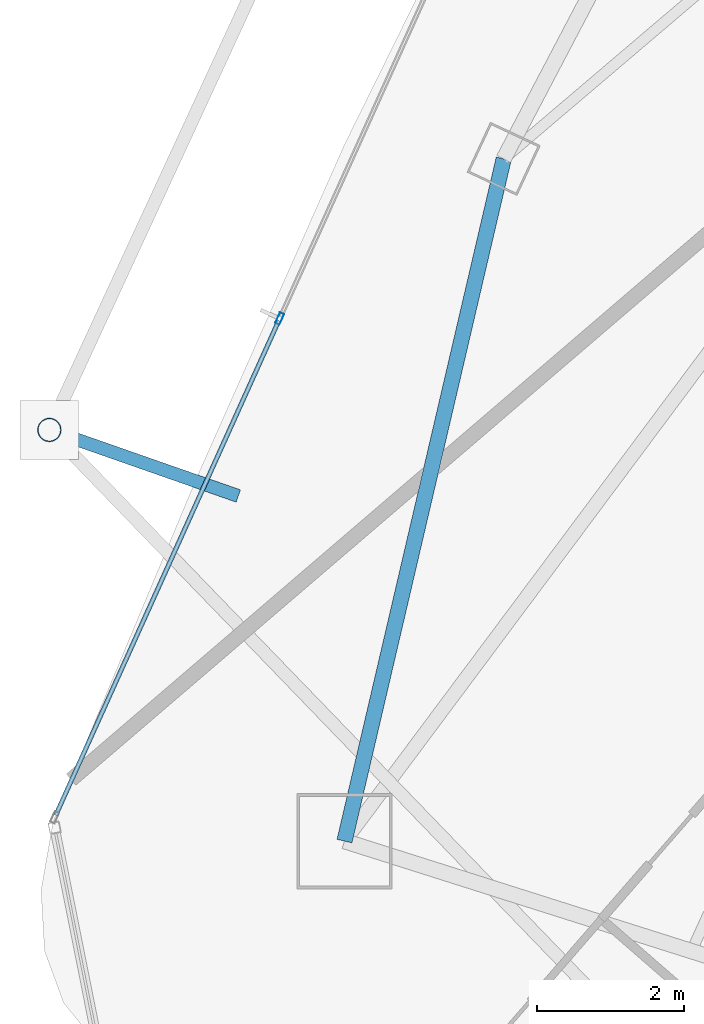
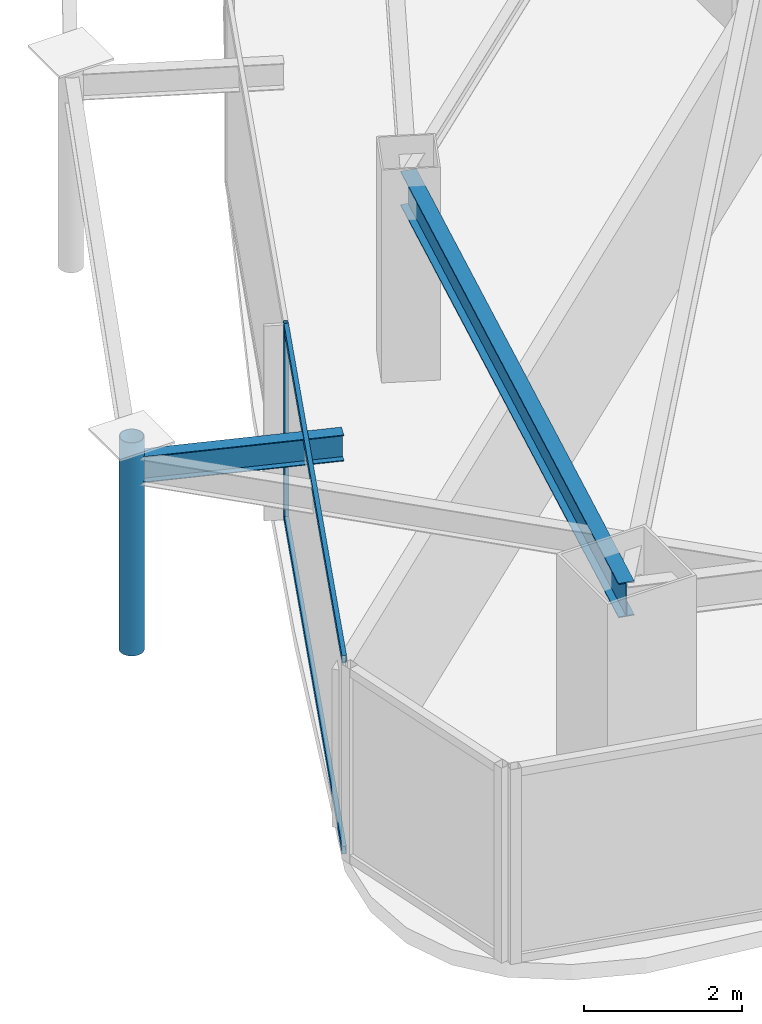
# One storey, part 5 of 30: 4 members, 2 beams, 1 element without a shape of its own.
"""IFC4 building model written with IfcOpenShell, lengths in metres."""

from ifc_helpers import new_model, si_unit, direction, frame, origin, origin_2d, place, context, subcontext, project, spatial, hollow_rectangle, hollow_circle, i_section, extrude, material, layer, layer_set, material_profile, profile_set, type_object, element, aggregate, save


model = new_model("IFC4")

# Units and contexts
model_context = context("Model", 3, precision=1e-05, world=origin(), true_north=direction((0.0, 1.0)))
body_context = subcontext(model_context, "Body", "Model", "MODEL_VIEW")
ifc_project = project(units=[si_unit("LENGTHUNIT", "METRE"), si_unit("AREAUNIT", "SQUARE_METRE"), si_unit("VOLUMEUNIT", "CUBIC_METRE"), si_unit("PLANEANGLEUNIT", "RADIAN"), si_unit("MASSUNIT", "GRAM", prefix="KILO")], contexts=[model_context])

# Site, building, storey
site_placement = place(None, origin())
site = spatial("IfcSite", under=ifc_project, at=site_placement, CompositionType="ELEMENT")
building_placement = place(site_placement, origin())
building = spatial("IfcBuilding", under=site, at=building_placement, Name="Orvanel Arch Residences", CompositionType="ELEMENT")
storey_placement = place(building_placement, frame((0.0, 0.0, 232.699951171875)))
storey = spatial("IfcBuildingStorey", under=building, at=storey_placement, Name="L66", CompositionType="ELEMENT", Elevation=232.699951171875)

# Curtain wall, member
ifc_material_1 = material(Name="Bronze-anodised aluminium AA6063-T6", Category="aluminium")
ifc_layer = layer(ifc_material_1, 0.175048828125)
ifc_layer_set = layer_set([ifc_layer], Name="Bronze-anodised aluminium AA6063-T6")
curtain_wall_type = type_object("IfcCurtainWallType", Name="CW4-HI-SYS", PredefinedType="NOTDEFINED", material=ifc_layer_set)
curtain_wall_placement = place(storey_placement, origin())
curtain_wall = element("IfcCurtainWall", 1, at=curtain_wall_placement, inside=storey, type_object=curtain_wall_type, Name="L66 CW4-HI-SYS Unitised Curtain Wall", PredefinedType="NOTDEFINED")
ifc_material_profile_1 = material_profile(ifc_material_1, hollow_rectangle(XDim=0.06494140625, YDim=0.159912109375, WallThickness=0.00390625, at=origin_2d()), Name="ALU160x65x4")
ifc_profile_set_1 = profile_set([ifc_material_profile_1], Name="Bronze-anodised aluminium AA6063-T6")
member_type_1 = type_object("IfcMemberType", Name="MUL-160x65", PredefinedType="MULLION", material=ifc_profile_set_1)
member_1_placement = place(storey_placement, frame((13.31689453125, 17.467529296875, 0.0), z_axis=(0.0, 0.0, 1.0), x_axis=(0.911577429328, -0.411128435335, 0.0)))
member_1 = element("IfcMember", 2, at=member_1_placement, type_object=member_type_1, Name="CW-S4 mullion 2", PredefinedType="MULLION", context=body_context, shape_type="SweptSolid", body=[
    extrude(hollow_rectangle(XDim=0.06494140625, YDim=0.159912109375, WallThickness=0.00390625, at=origin_2d()), origin(), (0.0, 0.0, 1.0), 3.02001953125),
])

# Beams
ifc_material_2 = material(Name="Structural steel AS/NZS 3679.1 Grade 300 (300 MPa)", Category="steel")
ifc_material_profile_2 = material_profile(ifc_material_2, i_section(OverallWidth=0.177978515625, OverallDepth=0.406005859375, WebThickness=0.0078125, FlangeThickness=0.0126953125, at=origin_2d()), Name="410UB59.7")
ifc_profile_set_2 = profile_set([ifc_material_profile_2], Name="Structural steel AS/NZS 3679.1 Grade 300 (300 MPa)")
beam_type_1 = type_object("IfcBeamType", Name="OB-410UB-EXT", PredefinedType="SPANDREL", material=ifc_profile_set_2)
beam_1_placement = place(storey_placement, frame((12.7529296875, 15.051025390625, 2.817138671875), z_axis=(-0.943932339039, 0.330138969703, 0.0), x_axis=(-0.330138969703, -0.943932339039, 0.0)))
element("IfcBeam", 3, at=beam_1_placement, inside=storey, type_object=beam_type_1, Name="L66 Outer Frame Radial Tie Beam 04", PredefinedType="SPANDREL", context=body_context, shape_type="SweptSolid", body=[
    extrude(i_section(OverallWidth=0.177978515625, OverallDepth=0.406005859375, WebThickness=0.0078125, FlangeThickness=0.0126953125, at=origin_2d()), origin(), (0.0, 0.0, 1.0), 2.725830078125),
])
ifc_material_profile_3 = material_profile(ifc_material_2, i_section(OverallWidth=0.208984375, OverallDepth=0.532958984375, WebThickness=0.01025390625, FlangeThickness=0.015625, at=origin_2d()), Name="530UB92.4")
ifc_profile_set_3 = profile_set([ifc_material_profile_3], Name="Structural steel AS/NZS 3679.1 Grade 300 (300 MPa)")
beam_type_2 = type_object("IfcBeamType", Name="SP-530UB", PredefinedType="SPANDREL", material=ifc_profile_set_3)
beam_2_placement = place(storey_placement, frame((16.366943359375, 19.64208984375, 2.7529296875), z_axis=(-0.227236087167, -0.973839699688, 0.0), x_axis=(0.973839699688, -0.227236087167, 0.0)))
element("IfcBeam", 4, at=beam_2_placement, inside=storey, type_object=beam_type_2, Name="L66 Perimeter Spandrel Beam 01", PredefinedType="SPANDREL", context=body_context, shape_type="SweptSolid", body=[
    extrude(i_section(OverallWidth=0.208984375, OverallDepth=0.532958984375, WebThickness=0.01025390625, FlangeThickness=0.015625, at=origin_2d()), origin(), (0.0, 0.0, 1.0), 9.54052734375),
])

# Member
ifc_material_3 = material(Name="Structural steel AS/NZS 1163 C350L0 (Grade 350)", Category="steel")
ifc_material_profile_4 = material_profile(ifc_material_3, hollow_circle(Radius=0.162109375, WallThickness=0.0126953125, at=origin_2d()), Name="CHS324x12.7")
ifc_profile_set_4 = profile_set([ifc_material_profile_4], Name="Structural steel AS/NZS 1163 C350L0 (Grade 350)")
member_type_2 = type_object("IfcMemberType", Name="ST-324CHS-EXT", PredefinedType="STRUT", material=ifc_profile_set_4)
member_2_placement = place(storey_placement, frame((10.179931640625, 15.950927734375, 0.0), z_axis=(0.0, 0.0, 1.0), x_axis=(1.0, 0.0, 0.0)))
element("IfcMember", 5, at=member_2_placement, inside=storey, type_object=member_type_2, Name="L66 Outer Perimeter Frame Post 04", PredefinedType="STRUT", context=body_context, shape_type="SweptSolid", body=[
    extrude(hollow_circle(Radius=0.162109375, WallThickness=0.0126953125, at=origin_2d()), origin(), (0.0, 0.0, 1.0), 3.300048828125),
])

ifc_material_profile_5 = material_profile(ifc_material_1, hollow_rectangle(XDim=0.06005859375, YDim=0.1201171875, WallThickness=0.00341796875, at=origin_2d()), Name="ALU120x60x3.5")
ifc_profile_set_5 = profile_set([ifc_material_profile_5], Name="Bronze-anodised aluminium AA6063-T6")
member_type_3 = type_object("IfcMemberType", Name="TRN-120x60", PredefinedType="USERDEFINED", material=ifc_profile_set_5)
member_3_placement = place(storey_placement, frame((13.3037109375, 17.43798828125, 0.030029296875), z_axis=(-0.411149219017, -0.911568055442, 0.0), x_axis=(0.911568055442, -0.411149219017, 0.0)))
member_3 = element("IfcMember", 6, at=member_3_placement, type_object=member_type_3, Name="CW-S4 transom 2.1", ObjectType="TRANSOM", PredefinedType="USERDEFINED", context=body_context, shape_type="SweptSolid", body=[
    extrude(hollow_rectangle(XDim=0.06005859375, YDim=0.1201171875, WallThickness=0.00341796875, at=origin_2d()), origin(), (0.0, 0.0, 1.0), 7.386962890625),
])

member_4_placement = place(storey_placement, frame((13.3037109375, 17.43798828125, 2.989990234375), z_axis=(-0.411149219017, -0.911568055442, 0.0), x_axis=(0.911568055442, -0.411149219017, 0.0)))
member_4 = element("IfcMember", 7, at=member_4_placement, type_object=member_type_3, Name="CW-S4 transom 2.2", ObjectType="TRANSOM", PredefinedType="USERDEFINED", context=body_context, shape_type="SweptSolid", body=[
    extrude(hollow_rectangle(XDim=0.06005859375, YDim=0.1201171875, WallThickness=0.00341796875, at=origin_2d()), origin(), (0.0, 0.0, 1.0), 7.386962890625),
])

aggregate(curtain_wall, [member_1, member_3, member_4])

save(model, "model.ifc")
